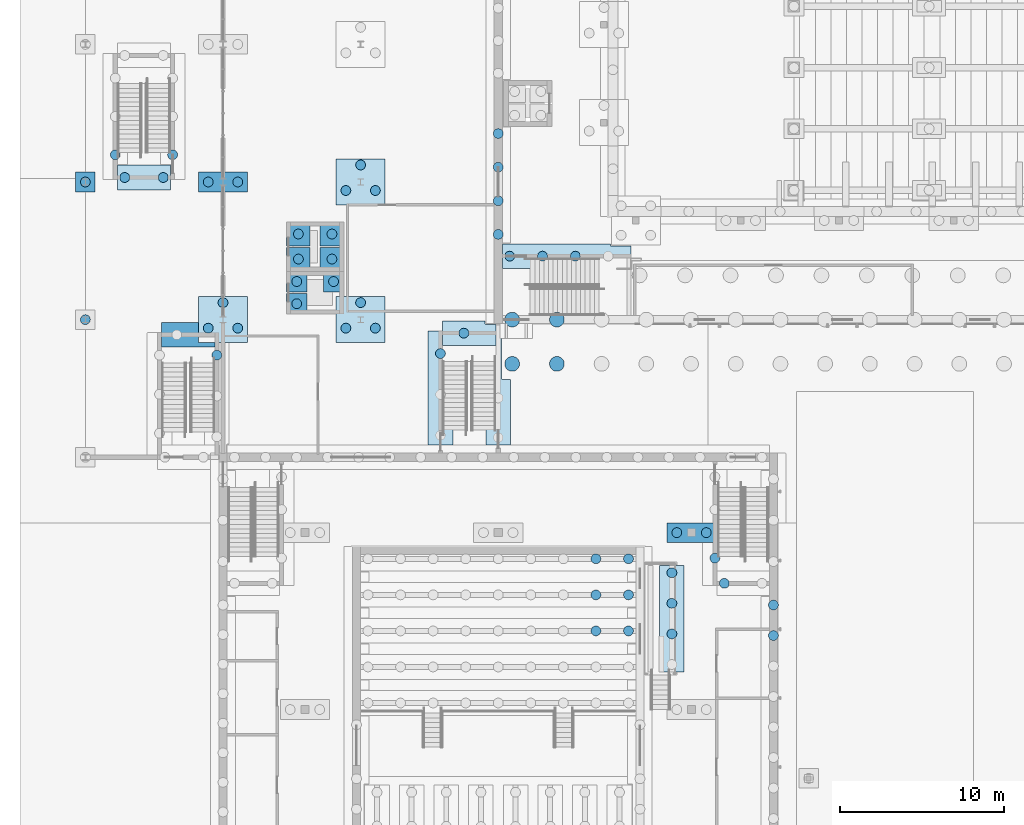
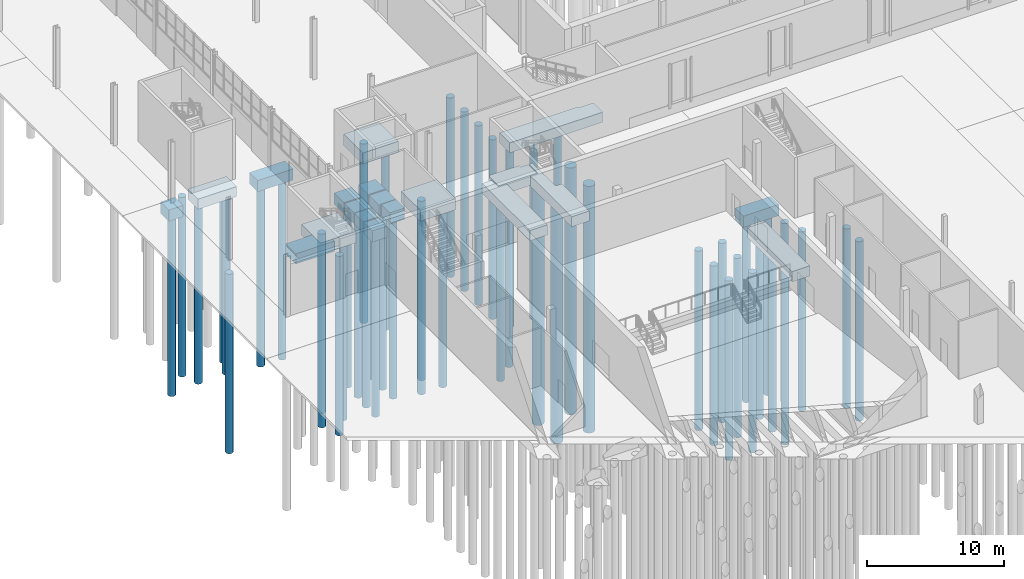
# One storey, part 4 of 127: 53 piles, 20 footings.
"""IFC4 building model written with IfcOpenShell, lengths in metres."""

from ifc_helpers import new_model, si_unit, direction, frame, origin, origin_2d, place, context, subcontext, project, spatial, polyline, circle, outline, extrude, material, layer, layer_set, material_profile, profile_set, type_object, element, save


model = new_model("IFC4")

# Units and contexts
model_context = context("Model", 3, precision=1e-05, world=origin(), true_north=direction((0.0, 1.0)))
body_context = subcontext(model_context, "Body", "Model", "MODEL_VIEW")
ifc_project = project(units=[si_unit("LENGTHUNIT", "METRE"), si_unit("AREAUNIT", "SQUARE_METRE"), si_unit("VOLUMEUNIT", "CUBIC_METRE"), si_unit("PLANEANGLEUNIT", "RADIAN"), si_unit("MASSUNIT", "GRAM", prefix="KILO")], contexts=[model_context])

# Site, building, storey
site_placement = place(None, origin())
site = spatial("IfcSite", under=ifc_project, at=site_placement, CompositionType="ELEMENT")
building_placement = place(site_placement, origin())
building = spatial("IfcBuilding", under=site, at=building_placement, Name="Ljudholm Concert House", CompositionType="ELEMENT")
storey_placement = place(building_placement, origin())
storey = spatial("IfcBuildingStorey", under=building, at=storey_placement, Name="L00", CompositionType="ELEMENT", Elevation=0.0)

# Piles
ifc_material_1 = material(Name="Concrete 5,000 psi", Category="concrete")
ifc_material_profile_1 = material_profile(ifc_material_1, circle(Radius=0.300048828125, at=origin_2d()), Name="AUGER-CAST PILE D600")
ifc_profile_set_1 = profile_set([ifc_material_profile_1], Name="Concrete 5,000 psi")
pile_type_1 = type_object("IfcPileType", Name="AUGER-CAST PILE D600", PredefinedType="BORED", material=ifc_profile_set_1)
for number, where, z_axis, x_axis, name in (
    (1, (4.0, 54.39990234375, -1.199951171875), (0.0, 0.0, -1.0), (1.0, 0.0, 0.0), "Pile D600"),
    (2, (4.0, 62.800048828125, -1.199951171875), (0.0, 0.0, -1.0), (1.0, 0.0, 0.0), "Pile D600"),
    (3, (11.5, 53.88037109375, -1.199951171875), (0.0, 0.0, -1.0), (1.0, 0.0, 0.0), "Pile D600"),
    (4, (13.300048828125, 53.88037109375, -1.199951171875), (0.0, 0.0, -1.0), (1.0, 0.0, 0.0), "Pile D600"),
    (5, (12.39990234375, 55.439208984375, -1.199951171875), (0.0, 0.0, -1.0), (1.0, 0.0, 0.0), "Pile D600"),
    (6, (11.5, 62.800048828125, -1.199951171875), (0.0, 0.0, -1.0), (1.0, 0.0, 0.0), "Pile D600"),
    (7, (13.300048828125, 62.800048828125, -1.199951171875), (0.0, 0.0, -1.0), (1.0, 0.0, 0.0), "Pile D600"),
    (8, (19.89990234375, 53.88037109375, -1.199951171875), (0.0, 0.0, -1.0), (1.0, 0.0, 0.0), "Pile D600"),
    (9, (21.699951171875, 53.88037109375, -1.199951171875), (0.0, 0.0, -1.0), (1.0, 0.0, 0.0), "Pile D600"),
    (10, (20.800048828125, 55.439208984375, -1.199951171875), (0.0, 0.0, -1.0), (1.0, 0.0, 0.0), "Pile D600"),
    (11, (19.89990234375, 62.2802734375, -1.199951171875), (0.0, 0.0, -1.0), (1.0, 0.0, 0.0), "Pile D600"),
    (12, (21.699951171875, 62.2802734375, -1.199951171875), (0.0, 0.0, -1.0), (1.0, 0.0, 0.0), "Pile D600"),
    (13, (20.800048828125, 63.839111328125, -1.199951171875), (0.0, 0.0, -1.0), (1.0, 0.0, 0.0), "Pile D600"),
    (14, (40.10009765625, 41.39990234375, -1.409912109375), (0.0, 0.0, -1.0), (1.0, 0.0, 0.0), "Pile D600"),
    (15, (41.89990234375, 41.39990234375, -1.409912109375), (0.0, 0.0, -1.0), (1.0, 0.0, 0.0), "Pile D600"),
    (16, (43.0, 38.304931640625, -1.31005859375), (0.0, 0.0, -1.0), (1.0, 0.0, 0.0), "Pile D600"),
    (17, (35.16259765625, 35.39990234375, -1.199951171875), (0.0, 0.0, -1.0), (1.0, 0.0, 0.0), "Pile D600"),
    (18, (37.14990234375, 35.39990234375, -1.199951171875), (0.0, 0.0, -1.0), (1.0, 0.0, 0.0), "Pile D600"),
    (19, (35.16259765625, 37.60009765625, -1.199951171875), (0.0, 0.0, -1.0), (1.0, 0.0, 0.0), "Pile D600"),
    (20, (37.14990234375, 37.60009765625, -1.199951171875), (0.0, 0.0, -1.0), (1.0, 0.0, 0.0), "Pile D600"),
    (21, (35.16259765625, 39.800048828125, -1.199951171875), (0.0, 0.0, -1.0), (1.0, 0.0, 0.0), "Pile D600"),
    (22, (37.14990234375, 39.800048828125, -1.199951171875), (0.0, 0.0, -1.0), (1.0, 0.0, 0.0), "Pile D600"),
    (23, (29.89990234375, 58.27490234375, -1.39990234375), (0.0, 0.0, -1.0), (1.0, 0.0, 0.0), "Pile D600"),
    (24, (31.903564453125, 58.27490234375, -1.39990234375), (0.0, 0.0, -1.0), (1.0, 0.0, 0.0), "Pile D600"),
    (25, (33.906982421875, 58.27490234375, -1.39990234375), (0.0, 0.0, -1.0), (1.0, 0.0, 0.0), "Pile D600"),
    (26, (42.425048828125, 39.8427734375, -1.31005859375), (0.0, 0.0, -1.0), (1.0, 0.0, 0.0), "Pile D600"),
    (27, (39.800048828125, 35.216552734375, -1.31005859375), (0.0, 0.0, -1.0), (1.0, 0.0, 0.0), "Pile D600"),
    (28, (39.800048828125, 37.083251953125, -1.31005859375), (0.0, 0.0, -1.0), (1.0, 0.0, 0.0), "Pile D600"),
    (29, (39.800048828125, 38.949951171875, -1.31005859375), (0.0, 0.0, -1.0), (1.0, 0.0, 0.0), "Pile D600"),
    (30, (46.0, 35.11669921875, -1.31005859375), (0.0, 0.0, -1.0), (1.0, 0.0, 0.0), "Pile D600"),
    (31, (46.0, 36.978515625, -1.31005859375), (0.0, 0.0, -1.0), (1.0, 0.0, 0.0), "Pile D600"),
    (32, (29.199951171875, 59.6015625, -1.199951171875), (0.0, 0.0, -1.0), (1.0, 0.0, 0.0), "Pile D600"),
    (33, (29.199951171875, 61.6533203125, -1.199951171875), (0.0, 0.0, -1.0), (1.0, 0.0, 0.0), "Pile D600"),
    (34, (29.199951171875, 63.705322265625, -1.199951171875), (0.0, 0.0, -1.0), (1.0, 0.0, 0.0), "Pile D600"),
    (35, (29.199951171875, 65.75732421875, -1.199951171875), (0.0, 0.0, -1.0), (1.0, 0.0, 0.0), "Pile D600"),
    (36, (16.89990234375, 55.375, -3.050048828125), (0.0, 0.0, -1.0), (1.0, 0.0, 0.0), "Pile D600"),
    (37, (16.89990234375, 56.72509765625, -3.050048828125), (0.0, 0.0, -1.0), (1.0, 0.0, 0.0), "Pile D600"),
    (38, (19.14990234375, 56.72509765625, -3.050048828125), (0.0, 0.0, -1.0), (1.0, 0.0, 0.0), "Pile D600"),
    (39, (17.00244140625, 58.097412109375, -3.050048828125), (0.0, 0.0, -1.0), (1.0, 0.0, 0.0), "Pile D600"),
    (40, (19.047607421875, 58.097412109375, -3.050048828125), (0.0, 0.0, -1.0), (1.0, 0.0, 0.0), "Pile D600"),
    (41, (17.0, 59.625, -3.050048828125), (0.0, 0.0, -1.0), (1.0, 0.0, 0.0), "Pile D600"),
    (42, (19.050048828125, 59.625, -3.050048828125), (0.0, 0.0, -1.0), (1.0, 0.0, 0.0), "Pile D600"),
    (43, (27.103759765625, 53.574951171875, -1.10009765625), (0.0, 0.0, -1.0), (1.0, 0.0, 0.0), "Pile D600"),
    (44, (6.39990234375, 63.074951171875, -1.10009765625), (0.0, 0.0, -1.0), (1.0, 0.0, 0.0), "Pile D600"),
    (45, (8.75, 63.074951171875, -1.10009765625), (0.0, 0.0, -1.0), (1.0, 0.0, 0.0), "Pile D600"),
    (46, (12.02490234375, 52.231689453125, -1.10009765625), (0.0, 0.0, -1.0), (1.0, 0.0, 0.0), "Pile D600"),
    (47, (25.675048828125, 52.331787109375, -1.10009765625), (0.0, 0.0, -1.0), (1.0, 0.0, 0.0), "Pile D600"),
    (48, (9.324951171875, 64.46044921875, -1.10009765625), (0.0, 0.0, -1.0), (1.0, 0.0, 0.0), "Pile D600"),
    (49, (5.824951171875, 64.46044921875, -1.10009765625), (0.0, 0.0, -1.0), (1.0, 0.0, 0.0), "Pile D600"),
):
    element("IfcPile", number, at=place(storey_placement, frame(where, z_axis=z_axis, x_axis=x_axis)), inside=storey, type_object=pile_type_1, Name=name, PredefinedType="BORED", context=body_context, shape_type="SweptSolid", body=[
        extrude(circle(Radius=0.300048828125, at=origin_2d()), origin(), (0.0, 0.0, 1.0), 16.0),
    ])
ifc_material_2 = material(Name="Concrete 5,000 psi", Category="concrete")
ifc_material_profile_2 = material_profile(ifc_material_2, circle(Radius=0.449951171875, at=origin_2d()), Name="AUGER-CAST PILE D900")
ifc_profile_set_2 = profile_set([ifc_material_profile_2], Name="Concrete 5,000 psi")
pile_type_2 = type_object("IfcPileType", Name="AUGER-CAST PILE D900", PredefinedType="BORED", material=ifc_profile_set_2)
for number, where, z_axis, x_axis, name in (
    (50, (30.050048828125, 51.699951171875, -1.699951171875), (0.0, 0.0, -1.0), (1.0, 0.0, 0.0), "Pile D900"),
    (51, (32.779052734375, 51.699951171875, -1.699951171875), (0.0, 0.0, -1.0), (1.0, 0.0, 0.0), "Pile D900"),
    (52, (30.050048828125, 54.39990234375, -1.699951171875), (0.0, 0.0, -1.0), (1.0, 0.0, 0.0), "Pile D900"),
    (53, (32.779052734375, 54.39990234375, -1.699951171875), (0.0, 0.0, -1.0), (1.0, 0.0, 0.0), "Pile D900"),
):
    element("IfcPile", number, at=place(storey_placement, frame(where, z_axis=z_axis, x_axis=x_axis)), inside=storey, type_object=pile_type_2, Name=name, PredefinedType="BORED", context=body_context, shape_type="SweptSolid", body=[
        extrude(circle(Radius=0.449951171875, at=origin_2d()), origin(), (0.0, 0.0, 1.0), 22.0),
    ])

# Footings
ifc_material_3 = material(Name="Concrete 5,000 psi", Category="concrete")
ifc_layer_1 = layer(ifc_material_3, 1.0)
ifc_layer_set_1 = layer_set([ifc_layer_1], Name="Concrete 5,000 psi")
footing_type_1 = type_object("IfcFootingType", Name="RC PILE CAP 1200x1200x1000", PredefinedType="PILE_CAP", material=ifc_layer_set_1)
footing_1_placement = place(storey_placement, frame((0.0, 0.0, -1.199951171875)))
element("IfcFooting", 54, at=footing_1_placement, inside=storey, type_object=footing_type_1, Name="Pile cap", PredefinedType="PILE_CAP", context=body_context, shape_type="SweptSolid", body=[
    extrude(outline(polyline([(3.409912109375, 62.199951171875), (4.590087890625, 62.199951171875), (4.59375, 62.20068359375), (4.59716796875, 62.202880859375), (4.59912109375, 62.2060546875), (4.60009765625, 62.2099609375), (4.60009765625, 63.389892578125), (4.59912109375, 63.393798828125), (4.59716796875, 63.39697265625), (4.59375, 63.399169921875), (4.590087890625, 63.39990234375), (3.409912109375, 63.39990234375), (3.40625, 63.399169921875), (3.40283203125, 63.39697265625), (3.40087890625, 63.393798828125), (3.39990234375, 63.389892578125), (3.39990234375, 62.2099609375), (3.40087890625, 62.2060546875), (3.40283203125, 62.202880859375), (3.40625, 62.20068359375), (3.409912109375, 62.199951171875)])), origin(), (0.0, 0.0, 1.0), 1.0),
])
ifc_material_4 = material(Name="Concrete 5,000 psi", Category="concrete")
ifc_layer_2 = layer(ifc_material_4, 1.0)
ifc_layer_set_2 = layer_set([ifc_layer_2], Name="Concrete 5,000 psi")
footing_type_2 = type_object("IfcFootingType", Name="RC PILE CAP 1250x1250x1000", PredefinedType="PILE_CAP", material=ifc_layer_set_2)
footing_2_placement = place(storey_placement, frame((0.0, 0.0, -3.050048828125)))
element("IfcFooting", 55, at=footing_2_placement, inside=storey, type_object=footing_type_2, Name="Pile cap", PredefinedType="PILE_CAP", context=body_context, shape_type="SweptSolid", body=[
    extrude(outline(polyline([(16.284912109375, 54.75), (17.514892578125, 54.75), (17.518798828125, 54.750732421875), (17.52197265625, 54.7529296875), (17.524169921875, 54.756103515625), (17.52490234375, 54.760009765625), (17.52490234375, 55.989990234375), (17.524169921875, 55.993896484375), (17.52197265625, 55.9970703125), (17.518798828125, 55.999267578125), (17.514892578125, 56.0), (16.284912109375, 56.0), (16.28125, 55.999267578125), (16.27783203125, 55.9970703125), (16.27587890625, 55.993896484375), (16.27490234375, 55.989990234375), (16.27490234375, 54.760009765625), (16.27587890625, 54.756103515625), (16.27783203125, 54.7529296875), (16.28125, 54.750732421875), (16.284912109375, 54.75)])), origin(), (0.0, 0.0, 1.0), 1.0),
])
footing_3_placement = place(storey_placement, frame((0.0, 0.0, -3.050048828125)))
element("IfcFooting", 56, at=footing_3_placement, inside=storey, type_object=footing_type_2, Name="Pile cap", PredefinedType="PILE_CAP", context=body_context, shape_type="SweptSolid", body=[
    extrude(outline(polyline([(16.284912109375, 56.10009765625), (17.514892578125, 56.10009765625), (17.518798828125, 56.100830078125), (17.52197265625, 56.10302734375), (17.524169921875, 56.106201171875), (17.52490234375, 56.110107421875), (17.52490234375, 57.340087890625), (17.524169921875, 57.34375), (17.52197265625, 57.34716796875), (17.518798828125, 57.34912109375), (17.514892578125, 57.35009765625), (16.284912109375, 57.35009765625), (16.28125, 57.34912109375), (16.27783203125, 57.34716796875), (16.27587890625, 57.34375), (16.27490234375, 57.340087890625), (16.27490234375, 56.110107421875), (16.27587890625, 56.106201171875), (16.27783203125, 56.10302734375), (16.28125, 56.100830078125), (16.284912109375, 56.10009765625)])), origin(), (0.0, 0.0, 1.0), 1.0),
])
footing_4_placement = place(storey_placement, frame((0.0, 0.0, -3.050048828125)))
element("IfcFooting", 57, at=footing_4_placement, inside=storey, type_object=footing_type_2, Name="Pile cap", PredefinedType="PILE_CAP", context=body_context, shape_type="SweptSolid", body=[
    extrude(outline(polyline([(18.534912109375, 56.10009765625), (19.764892578125, 56.10009765625), (19.768798828125, 56.100830078125), (19.77197265625, 56.10302734375), (19.774169921875, 56.106201171875), (19.77490234375, 56.110107421875), (19.77490234375, 57.340087890625), (19.774169921875, 57.34375), (19.77197265625, 57.34716796875), (19.768798828125, 57.34912109375), (19.764892578125, 57.35009765625), (18.534912109375, 57.35009765625), (18.53125, 57.34912109375), (18.52783203125, 57.34716796875), (18.52587890625, 57.34375), (18.52490234375, 57.340087890625), (18.52490234375, 56.110107421875), (18.52587890625, 56.106201171875), (18.52783203125, 56.10302734375), (18.53125, 56.100830078125), (18.534912109375, 56.10009765625)])), origin(), (0.0, 0.0, 1.0), 1.0),
])
ifc_material_5 = material(Name="Concrete 5,000 psi", Category="concrete")
ifc_layer_3 = layer(ifc_material_5, 1.0)
ifc_layer_set_3 = layer_set([ifc_layer_3], Name="Concrete 5,000 psi")
footing_type_3 = type_object("IfcFootingType", Name="RC PILE CAP 1450x1450x1000", PredefinedType="PILE_CAP", material=ifc_layer_set_3)
footing_5_placement = place(storey_placement, frame((0.0, 0.0, -3.050048828125)))
element("IfcFooting", 58, at=footing_5_placement, inside=storey, type_object=footing_type_3, Name="Pile cap", PredefinedType="PILE_CAP", context=body_context, shape_type="SweptSolid", body=[
    extrude(outline(polyline([(16.27490234375, 58.7900390625), (16.27490234375, 57.409912109375), (16.27587890625, 57.40625), (16.27783203125, 57.40283203125), (16.28125, 57.40087890625), (16.284912109375, 57.39990234375), (17.564697265625, 57.39990234375), (17.570556640625, 57.398193359375), (17.57275390625, 57.396240234375), (17.574462890625, 57.392822265625), (17.5751953125, 57.358154296875), (17.5771484375, 57.353759765625), (17.58203125, 57.350341796875), (17.715087890625, 57.35009765625), (17.71875, 57.350830078125), (17.72216796875, 57.35302734375), (17.72412109375, 57.356201171875), (17.72509765625, 57.360107421875), (17.72509765625, 58.7900390625), (17.72412109375, 58.7939453125), (17.72216796875, 58.797119140625), (17.71875, 58.79931640625), (17.715087890625, 58.800048828125), (16.284912109375, 58.800048828125), (16.28125, 58.79931640625), (16.27783203125, 58.797119140625), (16.27587890625, 58.7939453125), (16.27490234375, 58.7900390625)])), origin(), (0.0, 0.0, 1.0), 1.0),
])
footing_6_placement = place(storey_placement, frame((0.0, 0.0, -3.050048828125)))
element("IfcFooting", 59, at=footing_6_placement, inside=storey, type_object=footing_type_3, Name="Pile cap", PredefinedType="PILE_CAP", context=body_context, shape_type="SweptSolid", body=[
    extrude(outline(polyline([(18.3349609375, 57.35009765625), (18.468017578125, 57.350341796875), (18.47265625, 57.353759765625), (18.474853515625, 57.358154296875), (18.475341796875, 57.392822265625), (18.477294921875, 57.396240234375), (18.4794921875, 57.398193359375), (18.4853515625, 57.39990234375), (19.764892578125, 57.39990234375), (19.768798828125, 57.40087890625), (19.77197265625, 57.40283203125), (19.774169921875, 57.40625), (19.77490234375, 57.409912109375), (19.77490234375, 58.7900390625), (19.774169921875, 58.7939453125), (19.77197265625, 58.797119140625), (19.768798828125, 58.79931640625), (19.764892578125, 58.800048828125), (18.3349609375, 58.800048828125), (18.3310546875, 58.79931640625), (18.327880859375, 58.797119140625), (18.32568359375, 58.7939453125), (18.324951171875, 58.7900390625), (18.324951171875, 57.360107421875), (18.32568359375, 57.356201171875), (18.327880859375, 57.35302734375), (18.3310546875, 57.350830078125), (18.3349609375, 57.35009765625)])), origin(), (0.0, 0.0, 1.0), 1.0),
])
footing_7_placement = place(storey_placement, frame((0.0, 0.0, -3.050048828125)))
element("IfcFooting", 60, at=footing_7_placement, inside=storey, type_object=footing_type_3, Name="Pile cap", PredefinedType="PILE_CAP", context=body_context, shape_type="SweptSolid", body=[
    extrude(outline(polyline([(16.284912109375, 58.89990234375), (17.715087890625, 58.89990234375), (17.71875, 58.90087890625), (17.72216796875, 58.90283203125), (17.72412109375, 58.90625), (17.72509765625, 58.909912109375), (17.72509765625, 60.340087890625), (17.72412109375, 60.34375), (17.72216796875, 60.34716796875), (17.71875, 60.34912109375), (17.715087890625, 60.35009765625), (16.284912109375, 60.35009765625), (16.28125, 60.34912109375), (16.27783203125, 60.34716796875), (16.27587890625, 60.34375), (16.27490234375, 60.340087890625), (16.27490234375, 58.909912109375), (16.27587890625, 58.90625), (16.27783203125, 58.90283203125), (16.28125, 58.90087890625), (16.284912109375, 58.89990234375)])), origin(), (0.0, 0.0, 1.0), 1.0),
])
footing_8_placement = place(storey_placement, frame((0.0, 0.0, -3.050048828125)))
element("IfcFooting", 61, at=footing_8_placement, inside=storey, type_object=footing_type_3, Name="Pile cap", PredefinedType="PILE_CAP", context=body_context, shape_type="SweptSolid", body=[
    extrude(outline(polyline([(18.3349609375, 58.89990234375), (19.764892578125, 58.89990234375), (19.768798828125, 58.90087890625), (19.77197265625, 58.90283203125), (19.774169921875, 58.90625), (19.77490234375, 58.909912109375), (19.77490234375, 60.340087890625), (19.774169921875, 60.34375), (19.77197265625, 60.34716796875), (19.768798828125, 60.34912109375), (19.764892578125, 60.35009765625), (18.3349609375, 60.35009765625), (18.3310546875, 60.34912109375), (18.327880859375, 60.34716796875), (18.32568359375, 60.34375), (18.324951171875, 60.340087890625), (18.324951171875, 58.909912109375), (18.32568359375, 58.90625), (18.327880859375, 58.90283203125), (18.3310546875, 58.90087890625), (18.3349609375, 58.89990234375)])), origin(), (0.0, 0.0, 1.0), 1.0),
])
ifc_material_6 = material(Name="Concrete 5,000 psi", Category="concrete")
ifc_layer_4 = layer(ifc_material_6, 1.0)
ifc_layer_set_4 = layer_set([ifc_layer_4], Name="Concrete 5,000 psi")
footing_type_4 = type_object("IfcFootingType", Name="RC PILE CAP 3000x1200x1000", PredefinedType="PILE_CAP", material=ifc_layer_set_4)
footing_9_placement = place(storey_placement, frame((0.0, 0.0, -1.199951171875)))
element("IfcFooting", 62, at=footing_9_placement, inside=storey, type_object=footing_type_4, Name="Pile cap", PredefinedType="PILE_CAP", context=body_context, shape_type="SweptSolid", body=[
    extrude(outline(polyline([(10.909912109375, 62.199951171875), (13.889892578125, 62.199951171875), (13.893798828125, 62.20068359375), (13.898193359375, 62.204345703125), (13.89990234375, 62.2099609375), (13.89990234375, 63.389892578125), (13.899169921875, 63.393798828125), (13.8955078125, 63.398193359375), (13.889892578125, 63.39990234375), (10.909912109375, 63.39990234375), (10.90625, 63.399169921875), (10.901611328125, 63.3955078125), (10.89990234375, 63.389892578125), (10.89990234375, 62.2099609375), (10.90087890625, 62.2060546875), (10.90283203125, 62.202880859375), (10.90625, 62.20068359375), (10.909912109375, 62.199951171875)])), origin(), (0.0, 0.0, 1.0), 1.0),
])
footing_10_placement = place(storey_placement, frame((0.0, 0.0, -1.409912109375)))
element("IfcFooting", 63, at=footing_10_placement, inside=storey, type_object=footing_type_4, Name="Pile cap", PredefinedType="PILE_CAP", context=body_context, shape_type="SweptSolid", body=[
    extrude(outline(polyline([(39.510009765625, 40.800048828125), (42.489990234375, 40.800048828125), (42.493896484375, 40.80078125), (42.498291015625, 40.804443359375), (42.5, 40.81005859375), (42.5, 41.989990234375), (42.499267578125, 41.993896484375), (42.49560546875, 41.998291015625), (42.489990234375, 42.0), (39.510009765625, 42.0), (39.506103515625, 41.999267578125), (39.501708984375, 41.99560546875), (39.5, 41.989990234375), (39.5, 40.81005859375), (39.500732421875, 40.80615234375), (39.5029296875, 40.802978515625), (39.506103515625, 40.80078125), (39.510009765625, 40.800048828125)])), origin(), (0.0, 0.0, 1.0), 1.0),
])
ifc_material_7 = material(Name="Concrete 5,000 psi", Category="concrete")
ifc_layer_5 = layer(ifc_material_7, 1.0)
ifc_layer_set_5 = layer_set([ifc_layer_5], Name="Concrete 5,000 psi")
footing_type_5 = type_object("IfcFootingType", Name="RC PILE CAP 3000x2800x1000", PredefinedType="PILE_CAP", material=ifc_layer_set_5)
footing_11_placement = place(storey_placement, frame((0.0, 0.0, -1.199951171875)))
element("IfcFooting", 64, at=footing_11_placement, inside=storey, type_object=footing_type_5, Name="Pile cap", PredefinedType="PILE_CAP", context=body_context, shape_type="SweptSolid", body=[
    extrude(outline(polyline([(10.89990234375, 55.7900390625), (10.89990234375, 53.010009765625), (10.90087890625, 53.006103515625), (10.90283203125, 53.0029296875), (10.90625, 53.000732421875), (10.909912109375, 53.0), (13.889892578125, 53.0), (13.893798828125, 53.000732421875), (13.89697265625, 53.0029296875), (13.899169921875, 53.006103515625), (13.89990234375, 53.010009765625), (13.89990234375, 55.7900390625), (13.899169921875, 55.7939453125), (13.89697265625, 55.797119140625), (13.893798828125, 55.79931640625), (13.889892578125, 55.800048828125), (10.909912109375, 55.800048828125), (10.90625, 55.79931640625), (10.90283203125, 55.797119140625), (10.90087890625, 55.7939453125), (10.89990234375, 55.7900390625)])), origin(), (0.0, 0.0, 1.0), 1.0),
])
footing_12_placement = place(storey_placement, frame((0.0, 0.0, -1.199951171875)))
element("IfcFooting", 65, at=footing_12_placement, inside=storey, type_object=footing_type_5, Name="Pile cap", PredefinedType="PILE_CAP", context=body_context, shape_type="SweptSolid", body=[
    extrude(outline(polyline([(19.300048828125, 55.7900390625), (19.300048828125, 53.010009765625), (19.30078125, 53.006103515625), (19.302978515625, 53.0029296875), (19.30615234375, 53.000732421875), (19.31005859375, 53.0), (22.2900390625, 53.0), (22.2939453125, 53.000732421875), (22.297119140625, 53.0029296875), (22.29931640625, 53.006103515625), (22.300048828125, 53.010009765625), (22.300048828125, 55.7900390625), (22.29931640625, 55.7939453125), (22.297119140625, 55.797119140625), (22.2939453125, 55.79931640625), (22.2900390625, 55.800048828125), (19.31005859375, 55.800048828125), (19.30615234375, 55.79931640625), (19.302978515625, 55.797119140625), (19.30078125, 55.7939453125), (19.300048828125, 55.7900390625)])), origin(), (0.0, 0.0, 1.0), 1.0),
])
footing_13_placement = place(storey_placement, frame((0.0, 0.0, -1.199951171875)))
element("IfcFooting", 66, at=footing_13_placement, inside=storey, type_object=footing_type_5, Name="Pile cap", PredefinedType="PILE_CAP", context=body_context, shape_type="SweptSolid", body=[
    extrude(outline(polyline([(19.300048828125, 64.18994140625), (19.300048828125, 61.409912109375), (19.30078125, 61.40625), (19.302978515625, 61.40283203125), (19.30615234375, 61.40087890625), (19.31005859375, 61.39990234375), (22.2900390625, 61.39990234375), (22.2939453125, 61.40087890625), (22.297119140625, 61.40283203125), (22.29931640625, 61.40625), (22.300048828125, 61.409912109375), (22.300048828125, 64.18994140625), (22.29931640625, 64.19384765625), (22.297119140625, 64.197021484375), (22.2939453125, 64.19921875), (22.2900390625, 64.199951171875), (19.31005859375, 64.199951171875), (19.30615234375, 64.19921875), (19.302978515625, 64.197021484375), (19.30078125, 64.19384765625), (19.300048828125, 64.18994140625)])), origin(), (0.0, 0.0, 1.0), 1.0),
])
ifc_material_8 = material(Name="Concrete 5,000 psi", Category="concrete")
ifc_layer_6 = layer(ifc_material_8, 0.89990234375)
ifc_layer_set_6 = layer_set([ifc_layer_6], Name="Concrete 5,000 psi")
footing_type_6 = type_object("IfcFootingType", Name="RC STRIP FOOTING 1500x900", PredefinedType="STRIP_FOOTING", material=ifc_layer_set_6)
footing_14_placement = place(storey_placement, frame((0.0, 0.0, -1.39990234375)))
element("IfcFooting", 67, at=footing_14_placement, inside=storey, type_object=footing_type_6, Name="Strip footing", PredefinedType="STRIP_FOOTING", context=body_context, shape_type="SweptSolid", body=[
    extrude(outline(polyline([(29.4599609375, 57.52490234375), (37.2919921875, 57.525146484375), (37.295654296875, 57.526611328125), (37.2978515625, 57.528564453125), (37.299560546875, 57.531982421875), (37.300048828125, 57.534912109375), (37.2998046875, 58.891845703125), (37.29833984375, 58.8955078125), (37.29638671875, 58.897705078125), (37.29296875, 58.899658203125), (37.2900390625, 58.89990234375), (36.05908203125, 58.900146484375), (36.05517578125, 58.901123046875), (36.052978515625, 58.90283203125), (36.05126953125, 58.9052734375), (36.050048828125, 58.908935546875), (36.0498046875, 59.016845703125), (36.04833984375, 59.0205078125), (36.04638671875, 59.022705078125), (36.04296875, 59.024658203125), (36.0400390625, 59.02490234375), (29.4580078125, 59.02490234375), (29.455322265625, 59.02392578125), (29.4521484375, 59.021240234375), (29.45068359375, 59.018798828125), (29.449951171875, 59.014892578125), (29.449951171875, 57.534912109375), (29.45068359375, 57.53125), (29.452880859375, 57.52783203125), (29.4560546875, 57.52587890625), (29.4599609375, 57.52490234375)])), origin(), (0.0, 0.0, 1.0), 0.89990234375),
])
footing_15_placement = place(storey_placement, frame((0.0, 0.0, -1.31005859375)))
element("IfcFooting", 68, at=footing_15_placement, inside=storey, type_object=footing_type_6, Name="Strip footing", PredefinedType="STRIP_FOOTING", context=body_context, shape_type="SweptSolid", body=[
    extrude(outline(polyline([(39.050048828125, 39.389892578125), (39.05029296875, 32.907958984375), (39.0517578125, 32.904541015625), (39.0537109375, 32.90234375), (39.05712890625, 32.900390625), (39.06005859375, 32.89990234375), (40.5419921875, 32.900146484375), (40.545654296875, 32.901611328125), (40.5478515625, 32.903564453125), (40.549560546875, 32.906982421875), (40.550048828125, 32.909912109375), (40.5498046875, 39.391845703125), (40.54833984375, 39.3955078125), (40.54638671875, 39.397705078125), (40.54296875, 39.399658203125), (40.5400390625, 39.39990234375), (39.06005859375, 39.39990234375), (39.05615234375, 39.399169921875), (39.052978515625, 39.39697265625), (39.05078125, 39.393798828125), (39.050048828125, 39.389892578125)])), origin(), (0.0, 0.0, 1.0), 0.900146484375),
])
footing_16_placement = place(storey_placement, frame((0.0, 0.0, -1.10009765625)))
element("IfcFooting", 69, at=footing_16_placement, inside=storey, type_object=footing_type_6, Name="Strip footing", PredefinedType="STRIP_FOOTING", context=body_context, shape_type="SweptSolid", body=[
    extrude(outline(polyline([(8.659912109375, 52.72509765625), (11.890869140625, 52.72509765625), (11.894775390625, 52.72607421875), (11.897705078125, 52.728759765625), (11.899169921875, 52.731201171875), (11.89990234375, 52.735107421875), (11.89990234375, 52.990966796875), (11.89892578125, 52.99462890625), (11.896240234375, 52.997802734375), (11.892822265625, 52.99951171875), (11.889892578125, 53.0), (10.9111328125, 53.0), (10.90625, 53.0009765625), (10.90234375, 53.00390625), (10.900634765625, 53.00732421875), (10.89990234375, 53.01123046875), (10.89990234375, 54.215087890625), (10.898193359375, 54.220458984375), (10.893798828125, 54.22412109375), (10.889892578125, 54.22509765625), (8.658935546875, 54.224853515625), (8.6552734375, 54.223876953125), (8.65234375, 54.221435546875), (8.65087890625, 54.21875), (8.64990234375, 54.215087890625), (8.64990234375, 52.735107421875), (8.65087890625, 52.731201171875), (8.65283203125, 52.72802734375), (8.65625, 52.725830078125), (8.659912109375, 52.72509765625)])), origin(), (0.0, 0.0, 1.0), 0.900146484375),
])
footing_17_placement = place(storey_placement, frame((0.0, 0.0, -1.10009765625)))
element("IfcFooting", 70, at=footing_17_placement, inside=storey, type_object=footing_type_6, Name="Strip footing", PredefinedType="STRIP_FOOTING", context=body_context, shape_type="SweptSolid", body=[
    extrude(outline(polyline([(25.81005859375, 52.824951171875), (29.0400390625, 52.824951171875), (29.0439453125, 52.82568359375), (29.04833984375, 52.829345703125), (29.050048828125, 52.8349609375), (29.050048828125, 54.090087890625), (29.04931640625, 54.09375), (29.045654296875, 54.098388671875), (29.0400390625, 54.10009765625), (28.456298828125, 54.10009765625), (28.437744140625, 54.103515625), (28.4169921875, 54.116943359375), (28.40478515625, 54.134765625), (28.4033203125, 54.138916015625), (28.39990234375, 54.15625), (28.39990234375, 54.31591796875), (28.399169921875, 54.31884765625), (28.39697265625, 54.322021484375), (28.393798828125, 54.32421875), (28.390869140625, 54.324951171875), (25.81005859375, 54.324951171875), (25.80615234375, 54.32421875), (25.8017578125, 54.320556640625), (25.800048828125, 54.31494140625), (25.800048828125, 52.8349609375), (25.80078125, 52.8310546875), (25.802978515625, 52.827880859375), (25.80615234375, 52.82568359375), (25.81005859375, 52.824951171875)])), origin(), (0.0, 0.0, 1.0), 0.900146484375),
])
footing_18_placement = place(storey_placement, frame((0.0, 0.0, -1.10009765625)))
element("IfcFooting", 71, at=footing_18_placement, inside=storey, type_object=footing_type_6, Name="Strip footing", PredefinedType="STRIP_FOOTING", context=body_context, shape_type="SweptSolid", body=[
    extrude(outline(polyline([(5.9599609375, 62.324951171875), (9.18994140625, 62.324951171875), (9.19384765625, 62.32568359375), (9.1982421875, 62.329345703125), (9.199951171875, 62.3349609375), (9.199951171875, 63.81494140625), (9.19921875, 63.81884765625), (9.195556640625, 63.8232421875), (9.18994140625, 63.824951171875), (5.9599609375, 63.824951171875), (5.9560546875, 63.82421875), (5.95166015625, 63.820556640625), (5.949951171875, 63.81494140625), (5.949951171875, 62.3349609375), (5.95068359375, 62.3310546875), (5.952880859375, 62.327880859375), (5.9560546875, 62.32568359375), (5.9599609375, 62.324951171875)])), origin(), (0.0, 0.0, 1.0), 0.900146484375),
])
footing_19_placement = place(storey_placement, frame((0.0, 0.0, -1.10009765625)))
element("IfcFooting", 72, at=footing_19_placement, inside=storey, type_object=footing_type_6, Name="Strip footing", PredefinedType="STRIP_FOOTING", context=body_context, shape_type="SweptSolid", body=[
    extrude(outline(polyline([(28.4599609375, 46.75), (29.93994140625, 46.75), (29.94287109375, 46.75048828125), (29.9462890625, 46.752197265625), (29.94873046875, 46.75537109375), (29.949951171875, 46.759033203125), (29.949951171875, 50.740966796875), (29.94873046875, 50.74462890625), (29.947021484375, 50.7470703125), (29.94384765625, 50.749267578125), (29.93994140625, 50.75), (29.455078125, 50.75), (29.436767578125, 50.75390625), (29.4169921875, 50.76708984375), (29.40380859375, 50.786865234375), (29.400146484375, 50.803955078125), (29.39990234375, 54.090087890625), (29.399169921875, 54.09375), (29.397705078125, 54.096435546875), (29.394775390625, 54.098876953125), (29.390869140625, 54.099853515625), (29.110107421875, 54.10009765625), (29.107177734375, 54.099609375), (29.103759765625, 54.09765625), (29.101806640625, 54.095458984375), (29.10009765625, 54.092041015625), (29.10009765625, 52.78515625), (29.098388671875, 52.779541015625), (29.0947265625, 52.776123046875), (29.08984375, 52.77490234375), (28.4599609375, 52.77490234375), (28.45703125, 52.774658203125), (28.45361328125, 52.772705078125), (28.451171875, 52.769775390625), (28.449951171875, 52.765869140625), (28.449951171875, 46.760009765625), (28.45068359375, 46.756103515625), (28.452880859375, 46.7529296875), (28.4560546875, 46.750732421875), (28.4599609375, 46.75)])), origin(), (0.0, 0.0, 1.0), 0.900146484375),
])
footing_20_placement = place(storey_placement, frame((0.0, 0.0, -1.10009765625)))
element("IfcFooting", 73, at=footing_20_placement, inside=storey, type_object=footing_type_6, Name="Strip footing", PredefinedType="STRIP_FOOTING", context=body_context, shape_type="SweptSolid", body=[
    extrude(outline(polyline([(24.93505859375, 46.75), (26.4150390625, 46.75), (26.41796875, 46.75048828125), (26.42138671875, 46.752197265625), (26.423828125, 46.75537109375), (26.425048828125, 46.759033203125), (26.425048828125, 52.765869140625), (26.423828125, 52.769775390625), (26.42138671875, 52.772705078125), (26.41796875, 52.774658203125), (26.4150390625, 52.77490234375), (25.76025390625, 52.77490234375), (25.75537109375, 52.776123046875), (25.751708984375, 52.779541015625), (25.75, 52.78515625), (25.75, 53.68994140625), (25.749267578125, 53.69384765625), (25.747802734375, 53.6962890625), (25.74462890625, 53.69873046875), (25.740966796875, 53.699951171875), (24.93505859375, 53.699951171875), (24.93212890625, 53.699462890625), (24.9287109375, 53.69775390625), (24.92626953125, 53.69482421875), (24.925048828125, 53.69091796875), (24.925048828125, 46.760009765625), (24.92578125, 46.756103515625), (24.927978515625, 46.7529296875), (24.93115234375, 46.750732421875), (24.93505859375, 46.75)])), origin(), (0.0, 0.0, 1.0), 0.900146484375),
])

save(model, "model.ifc")
